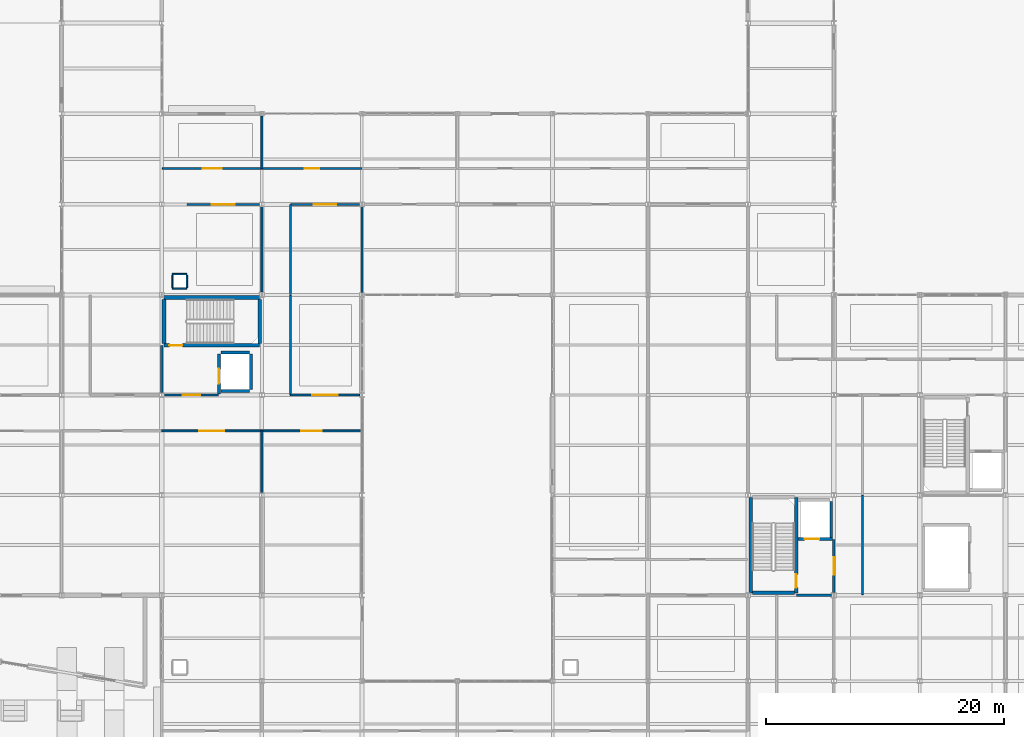
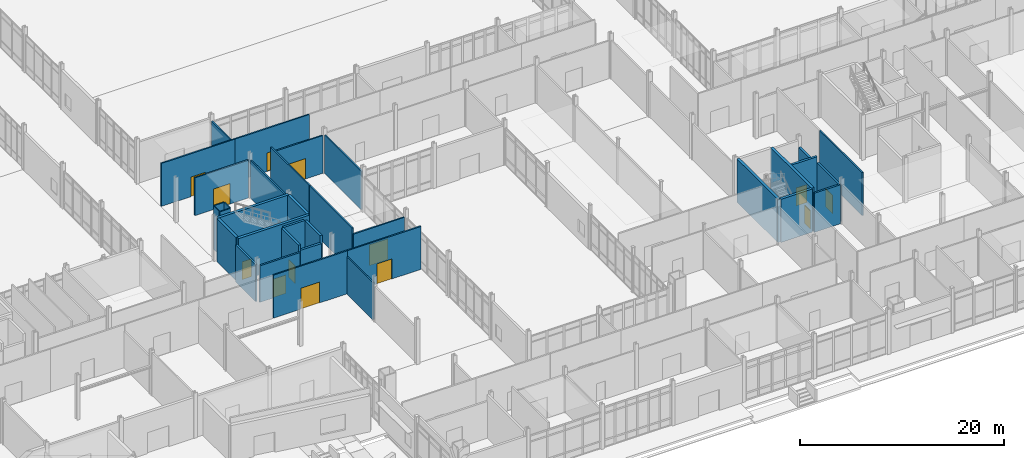
# One storey, part 193 of 229: 35 walls, 13 doors, 13 openings.
"""IFC4 building model written with IfcOpenShell, lengths in metres."""

import ifcopenshell
import ifcopenshell.guid

model = None  # the IFC model being written
_history = None  # IfcOwnerHistory: only IFC2X3 demands one
_inside = {}  # id of a spatial element -> (the spatial element, [elements in it])
_under = {}  # id of a project, library or spatial element -> (it, [spatial elements below it])
_declared = {}  # id of a project -> (the project, [libraries it declares])
_typed = {}  # id of a type object -> (the type object, [elements of that type])
_made_of = {}  # id of a material, layer set ... -> (it, [elements and type objects made of it])


def new_model(schema):
    """Start an empty IFC model of exactly this schema.

    Asked for "IFC4X3", IfcOpenShell would pick the latest addendum, in which some entities
    have other attributes; the version numbers below select the first issue.
    IFC2X3 requires an IfcOwnerHistory on every rooted entity: one is made here for all.
    """
    global model, _history
    if schema == "IFC4X3":
        model = ifcopenshell.file(schema_version=(4, 3, 0, 0))
    else:
        model = ifcopenshell.file(schema=schema)
    _inside.clear()
    _under.clear()
    _declared.clear()
    _typed.clear()
    _made_of.clear()
    _history = None
    if model.schema == "IFC2X3":
        org = make("IfcOrganization", Name="unknown")
        user = make(
            "IfcPersonAndOrganization",
            ThePerson=make("IfcPerson", FamilyName="unknown"),
            TheOrganization=org,
        )
        app = make(
            "IfcApplication",
            ApplicationDeveloper=org,
            Version="unknown",
            ApplicationFullName="unknown",
            ApplicationIdentifier="unknown",
        )
        _history = make(
            "IfcOwnerHistory",
            OwningUser=user,
            OwningApplication=app,
            ChangeAction="ADDED",
            CreationDate=0,
        )
    return model


def make(cls, **values):
    """One entity of the class cls with the attributes given. An attribute that is None is left unset."""
    return model.create_entity(
        cls, **{name: value for name, value in values.items() if value is not None}
    )


def rooted(cls, **values):
    """An entity with a GlobalId (a new one), such as an element, a storey or a relation."""
    return make(cls, GlobalId=ifcopenshell.guid.new(), OwnerHistory=_history, **values)


def si_unit(unit_type, name, prefix=None):
    """IfcSIUnit, for example si_unit("LENGTHUNIT", "METRE", prefix="MILLI")."""
    return make("IfcSIUnit", UnitType=unit_type, Prefix=prefix, Name=name)


def assignment(units):
    """IfcUnitAssignment: the units of a project."""
    return None if units is None else make("IfcUnitAssignment", Units=units)


def point(xyz):
    """IfcCartesianPoint."""
    return None if xyz is None else make("IfcCartesianPoint", Coordinates=xyz)


def direction(xyz):
    """IfcDirection."""
    return None if xyz is None else make("IfcDirection", DirectionRatios=xyz)


def frame(location, z_axis=None, x_axis=None):
    """IfcAxis2Placement3D, a coordinate frame: its origin and axes. An axis left out is left unset."""
    return make(
        "IfcAxis2Placement3D",
        Location=point(location),
        Axis=direction(z_axis),
        RefDirection=direction(x_axis),
    )


def frame_2d(location, x_axis=None):
    """IfcAxis2Placement2D, a coordinate frame in the plane: its origin and x axis."""
    return make(
        "IfcAxis2Placement2D", Location=point(location), RefDirection=direction(x_axis)
    )


def origin():
    """The frame at (0, 0, 0) with its axes left unset."""
    return frame((0.0, 0.0, 0.0))


def place(relative_to, where):
    """IfcLocalPlacement: puts the frame where relative to a parent placement (None: the world)."""
    return make(
        "IfcLocalPlacement", PlacementRelTo=relative_to, RelativePlacement=where
    )


def context(
    kind, dimensions, precision=None, world=None, true_north=None, identifier=None
):
    """IfcGeometricRepresentationContext, for example the 3D "Model" context."""
    return make(
        "IfcGeometricRepresentationContext",
        ContextIdentifier=identifier,
        ContextType=kind,
        CoordinateSpaceDimension=dimensions,
        Precision=precision,
        WorldCoordinateSystem=world,
        TrueNorth=true_north,
    )


def subcontext(parent, identifier, kind, view, scale=None):
    """IfcGeometricRepresentationSubContext, for example "Body" below "Model"."""
    return make(
        "IfcGeometricRepresentationSubContext",
        ContextIdentifier=identifier,
        ContextType=kind,
        ParentContext=parent,
        TargetScale=scale,
        TargetView=view,
    )


def project(units=None, contexts=None):
    """IfcProject with its units and contexts."""
    return rooted(
        "IfcProject",
        Name="project",
        RepresentationContexts=contexts,
        UnitsInContext=assignment(units),
    )


def spatial(cls, under=None, at=None, **own):
    """A site, building, storey or space (cls), placed at a placement, below another one or the project."""
    s = rooted(cls, ObjectPlacement=at, **own)
    if under is not None:
        _under.setdefault(under.id(), (under, []))[1].append(s)
    return s


def profile(cls, at=None, kind="AREA", **sizes):
    """A parametric profile (cls). Its sizes go by their IFC names, for example OverallWidth=200.0."""
    return make(cls, ProfileType=kind, Position=at, **sizes)


def rectangle(**sizes):
    """IfcRectangleProfileDef."""
    return profile("IfcRectangleProfileDef", **sizes)


def extrude(swept, where, along, depth):
    """IfcExtrudedAreaSolid: the profile swept, set in the frame where, extruded along a direction by depth."""
    return make(
        "IfcExtrudedAreaSolid",
        SweptArea=swept,
        Position=where,
        ExtrudedDirection=direction(along),
        Depth=depth,
    )


def shape(context_of_items, identifier, shape_type, items):
    """IfcShapeRepresentation: the items that make up one representation, for example the "Body"."""
    return make(
        "IfcShapeRepresentation",
        ContextOfItems=context_of_items,
        RepresentationIdentifier=identifier,
        RepresentationType=shape_type,
        Items=items,
    )


def material(Name=None, Category=None):
    """IfcMaterial."""
    return make("IfcMaterial", Name=Name, Category=Category)


def layer(
    of_material, thickness, ventilated=None, Name=None, Category=None, Priority=None
):
    """IfcMaterialLayer: one layer of a wall or slab, of a material (None: an air gap)."""
    return make(
        "IfcMaterialLayer",
        Material=of_material,
        LayerThickness=thickness,
        IsVentilated=ventilated,
        Name=Name,
        Category=Category,
        Priority=Priority,
    )


def layer_set(layers, Name=None):
    """IfcMaterialLayerSet."""
    return make("IfcMaterialLayerSet", MaterialLayers=layers, LayerSetName=Name)


def made_of(thing, what):
    """Note that an element or type object is made of a material, layer set ...; save() writes the relation."""
    if what is not None:
        _made_of.setdefault(what.id(), (what, []))[1].append(thing)
    return thing


def type_object(cls, material=None, **own):
    """A type object (cls), such as IfcWallType, which elements share."""
    return made_of(rooted(cls, **own), material)


def element(
    cls,
    number,
    at=None,
    inside=None,
    cuts=None,
    type_object=None,
    material=None,
    context=None,
    identifier="Body",
    shape_type=None,
    held_by="IfcProductDefinitionShape",
    body=None,
    shapes=None,
    **own,
):
    """One element of the class cls, such as IfcWall. Its Tag is "e" and its number.

    at: its placement. inside: the storey or other place that contains it. cuts: it is an
    opening in that element (IfcRelVoidsElement). A single representation is given by context,
    identifier, shape_type and body (its items); several are given by shapes. held_by: the class
    of the entity that holds the representations. save() writes the other relations.
    """
    e = rooted(cls, Tag="e%d" % number, ObjectPlacement=at, **own)
    if body is not None:
        shapes = [shape(context, identifier, shape_type, body)]
    if shapes is not None:
        e.Representation = make(held_by, Representations=shapes)
    if inside is not None:
        _inside.setdefault(inside.id(), (inside, []))[1].append(e)
    if cuts is not None:
        rooted(
            "IfcRelVoidsElement", RelatingBuildingElement=cuts, RelatedOpeningElement=e
        )
    if type_object is not None:
        _typed.setdefault(type_object.id(), (type_object, []))[1].append(e)
    return made_of(e, material)


def fill(opening, filler):
    """IfcRelFillsElement: the door or window that sits in an opening."""
    return rooted(
        "IfcRelFillsElement",
        RelatingOpeningElement=opening,
        RelatedBuildingElement=filler,
    )


def aggregate(whole, parts):
    """IfcRelAggregates: a whole, such as a stair, and the parts it consists of."""
    return rooted("IfcRelAggregates", RelatingObject=whole, RelatedObjects=parts)


def save(model, path):
    """Write the relations noted so far, then the file.

    IfcRelAggregates (storeys below a building ...), IfcRelContainedInSpatialStructure (elements
    in a storey), IfcRelDefinesByType, IfcRelAssociatesMaterial and IfcRelDeclares: one each for
    every whole, place, type object, material and project.
    """
    for whole, parts in _under.values():
        aggregate(whole, parts)
    for where, things in _inside.values():
        rooted(
            "IfcRelContainedInSpatialStructure",
            RelatedElements=things,
            RelatingStructure=where,
        )
    for kind, things in _typed.values():
        rooted("IfcRelDefinesByType", RelatedObjects=things, RelatingType=kind)
    for what, things in _made_of.values():
        rooted("IfcRelAssociatesMaterial", RelatedObjects=things, RelatingMaterial=what)
    for by, libraries in _declared.values():
        rooted("IfcRelDeclares", RelatingContext=by, RelatedDefinitions=libraries)
    model.write(path)


model = new_model("IFC4")

# Units and contexts
model_context = context("Model", 3, precision=1e-05, world=origin(), true_north=direction((0.0, 1.0)))
body_context = subcontext(model_context, "Body", "Model", "MODEL_VIEW")
ifc_project = project(units=[si_unit("LENGTHUNIT", "METRE"), si_unit("AREAUNIT", "SQUARE_METRE"), si_unit("VOLUMEUNIT", "CUBIC_METRE"), si_unit("PLANEANGLEUNIT", "RADIAN"), si_unit("MASSUNIT", "GRAM", prefix="KILO")], contexts=[model_context])

# Site, building, storey
site_placement = place(None, origin())
site = spatial("IfcSite", under=ifc_project, at=site_placement, CompositionType="ELEMENT")
building_placement = place(site_placement, origin())
building = spatial("IfcBuilding", under=site, at=building_placement, Name="Calvrana Isthmian Art Gallery", CompositionType="ELEMENT")
storey_placement = place(building_placement, origin())
storey = spatial("IfcBuildingStorey", under=building, at=storey_placement, Name="L00", CompositionType="ELEMENT", Elevation=0.0)

# Wall, opening, door
ifc_material_1 = material(Name="Concrete C40/50", Category="concrete")
ifc_layer_1 = layer(ifc_material_1, 0.300048828125, Name="Concrete C40/50")
ifc_layer_set_1 = layer_set([ifc_layer_1], Name="Concrete C40/50")
wall_type_1 = type_object("IfcWallType", Name="CW-SHAFT-300", PredefinedType="SHEAR", material=ifc_layer_set_1)
wall_1_placement = place(storey_placement, frame((63.7900390625, 42.56005859375, 0.0), z_axis=(0.0, 0.0, 1.0), x_axis=(1.0, 0.0, 0.0)))
wall_1 = element("IfcWall", 1, at=wall_1_placement, inside=storey, type_object=wall_type_1, Name="Core C2 shear wall S L00", PredefinedType="SHEAR", context=body_context, shape_type="SweptSolid", body=[
    extrude(rectangle(XDim=8.02001953125, YDim=0.300048828125, at=frame_2d((4.010009765625, 0.0))), origin(), (0.0, 0.0, 1.0), 5.159912109375),
])
opening_1_placement = place(wall_1_placement, frame((0.449951171875, 0.0, 0.0)))
opening_1 = element("IfcOpeningElement", 2, at=opening_1_placement, cuts=wall_1, Name="Opening D-116", PredefinedType="OPENING", context=body_context, shape_type="SweptSolid", body=[
    extrude(rectangle(XDim=1.10009765625, YDim=2.14990234375, at=frame_2d((0.550048828125, 1.074951171875))), frame((0.0, 0.16015625, 0.0), z_axis=(0.0, -1.0, 0.0), x_axis=(1.0, 0.0, 0.0)), (0.0, 0.0, 1.0), 0.320556640625),
])
ifc_material_2 = material(Name="Steel ASTM A572 Gr 50", Category="steel")
door_type_1 = type_object("IfcDoorType", Name="DR-FIRE-1100", OperationType="NOTDEFINED", PredefinedType="DOOR", material=ifc_material_2)
door_1_placement = place(opening_1_placement, origin())
door_1 = element("IfcDoor", 3, at=door_1_placement, inside=storey, type_object=door_type_1, Name="Stair ST-2 fire door L00", OperationType="SINGLE_SWING_LEFT", OverallHeight=2.14990234375, OverallWidth=1.10009765625, PredefinedType="DOOR", context=body_context, shape_type="SweptSolid", body=[
    extrude(rectangle(XDim=1.10009765625, YDim=2.14990234375, at=frame_2d((0.550048828125, 1.074951171875))), frame((0.0, 0.02490234375, 0.0), z_axis=(0.0, -1.0, 0.0), x_axis=(1.0, 0.0, 0.0)), (0.0, 0.0, 1.0), 0.050048828125),
])
fill(opening_1, door_1)

# Walls
wall_2_placement = place(storey_placement, frame((63.7900390625, 46.580078125, 0.0), z_axis=(0.0, 0.0, 1.0), x_axis=(1.0, 0.0, 0.0)))
element("IfcWall", 4, at=wall_2_placement, inside=storey, type_object=wall_type_1, Name="Core C2 shear wall N L00", PredefinedType="SHEAR", context=body_context, shape_type="SweptSolid", body=[
    extrude(rectangle(XDim=8.02001953125, YDim=0.300048828125, at=frame_2d((4.010009765625, 0.0))), origin(), (0.0, 0.0, 1.0), 5.159912109375),
])
for number, where, z_axis, x_axis, name in (
    (5, (63.7900390625, 42.7099609375, 0.0), (0.0, 0.0, 1.0), (0.0, 1.0, 0.0), "Core C2 shear wall W L00"),
    (6, (71.81005859375, 42.7099609375, 0.0), (0.0, 0.0, 1.0), (0.0, 1.0, 0.0), "Core C2 shear wall E L00"),
):
    element("IfcWall", number, at=place(storey_placement, frame(where, z_axis=z_axis, x_axis=x_axis)), inside=storey, type_object=wall_type_1, Name=name, PredefinedType="SHEAR", context=body_context, shape_type="SweptSolid", body=[
        extrude(rectangle(XDim=3.719970703125, YDim=0.300048828125, at=frame_2d((1.85986328125, 0.0))), origin(), (0.0, 0.0, 1.0), 5.159912109375),
    ])
wall_3_placement = place(storey_placement, frame((113.02001953125, 21.7900390625, 0.0), z_axis=(0.0, 0.0, 1.0), x_axis=(0.0, 1.0, 0.0)))
element("IfcWall", 7, at=wall_3_placement, inside=storey, type_object=wall_type_1, Name="Core C3 shear wall W L00", PredefinedType="SHEAR", context=body_context, shape_type="SweptSolid", body=[
    extrude(rectangle(XDim=8.02001953125, YDim=0.300048828125, at=frame_2d((4.010009765625, 0.0))), origin(), (0.0, 0.0, 1.0), 5.159912109375),
])

# Wall, opening, door
wall_4_placement = place(storey_placement, frame((116.840087890625, 21.7900390625, 0.0), z_axis=(0.0, 0.0, 1.0), x_axis=(0.0, 1.0, 0.0)))
wall_4 = element("IfcWall", 8, at=wall_4_placement, inside=storey, type_object=wall_type_1, Name="Core C3 shear wall E L00", PredefinedType="SHEAR", context=body_context, shape_type="SweptSolid", body=[
    extrude(rectangle(XDim=8.02001953125, YDim=0.300048828125, at=frame_2d((4.010009765625, 0.0))), origin(), (0.0, 0.0, 1.0), 5.159912109375),
])
opening_2_placement = place(wall_4_placement, frame((0.449951171875, 0.0, 0.0)))
opening_2 = element("IfcOpeningElement", 9, at=opening_2_placement, cuts=wall_4, Name="Opening D-130", PredefinedType="OPENING", context=body_context, shape_type="SweptSolid", body=[
    extrude(rectangle(XDim=1.10009765625, YDim=2.14990234375, at=frame_2d((0.550048828125, 1.074951171875))), frame((0.0, 0.16015625, 0.0), z_axis=(0.0, -1.0, 0.0), x_axis=(1.0, 0.0, 0.0)), (0.0, 0.0, 1.0), 0.320556640625),
])
door_2_placement = place(opening_2_placement, origin())
door_2 = element("IfcDoor", 10, at=door_2_placement, inside=storey, type_object=door_type_1, Name="Stair ST-3 fire door L00", OperationType="SINGLE_SWING_RIGHT", OverallHeight=2.14990234375, OverallWidth=1.10009765625, PredefinedType="DOOR", context=body_context, shape_type="SweptSolid", body=[
    extrude(rectangle(XDim=1.10009765625, YDim=2.14990234375, at=frame_2d((0.550048828125, 1.074951171875))), frame((0.0, 0.02490234375, 0.0), z_axis=(0.0, -1.0, 0.0), x_axis=(1.0, 0.0, 0.0)), (0.0, 0.0, 1.0), 0.050048828125),
])
fill(opening_2, door_2)

# Walls
wall_5_placement = place(storey_placement, frame((113.169921875, 21.7900390625, 0.0), z_axis=(0.0, 0.0, 1.0), x_axis=(1.0, 0.0, 0.0)))
element("IfcWall", 11, at=wall_5_placement, inside=storey, type_object=wall_type_1, Name="Core C3 shear wall S L00", PredefinedType="SHEAR", context=body_context, shape_type="SweptSolid", body=[
    extrude(rectangle(XDim=3.52001953125, YDim=0.300048828125, at=frame_2d((1.760009765625, 0.0))), origin(), (0.0, 0.0, 1.0), 5.159912109375),
])
ifc_material_3 = material(Name="Acoustic gypsum ceiling", Category="gypsum")
ifc_layer_2 = layer(ifc_material_3, 0.199951171875, Name="Acoustic gypsum ceiling")
ifc_layer_set_2 = layer_set([ifc_layer_2], Name="Acoustic gypsum ceiling")
wall_type_2 = type_object("IfcWallType", Name="PW-FIRE-200", PredefinedType="PARTITIONING", material=ifc_layer_set_2)
wall_6_placement = place(storey_placement, frame((63.60009765625, 38.6201171875, 0.0), z_axis=(0.0, 0.0, 1.0), x_axis=(0.0, 1.0, 0.0)))
element("IfcWall", 12, at=wall_6_placement, inside=storey, type_object=wall_type_2, Name="Core C2 lobby west closure L00", PredefinedType="PARTITIONING", context=body_context, shape_type="SweptSolid", body=[
    extrude(rectangle(XDim=3.919921875, YDim=0.199951171875, at=frame_2d((1.9599609375, 0.0))), origin(), (0.0, 0.0, 1.0), 4.447021484375),
])

# Wall, opening, door
wall_7_placement = place(storey_placement, frame((63.820068359375, 38.39990234375, 0.0), z_axis=(0.0, 0.0, 1.0), x_axis=(1.0, 0.0, 0.0)))
wall_7 = element("IfcWall", 13, at=wall_7_placement, inside=storey, type_object=wall_type_2, Name="Core C2 lobby enclosure L00", PredefinedType="PARTITIONING", context=body_context, shape_type="SweptSolid", body=[
    extrude(rectangle(XDim=4.559814453125, YDim=0.199951171875, at=frame_2d((2.27978515625, 0.0))), origin(), (0.0, 0.0, 1.0), 4.3779296875),
])
opening_3_placement = place(wall_7_placement, frame((1.554931640625, 0.0, 0.0)))
opening_3 = element("IfcOpeningElement", 14, at=opening_3_placement, cuts=wall_7, Name="Opening D-117", PredefinedType="OPENING", context=body_context, shape_type="SweptSolid", body=[
    extrude(rectangle(XDim=1.449951171875, YDim=2.199951171875, at=frame_2d((0.72509765625, 1.10009765625))), frame((0.0, 0.1103515625, 0.0), z_axis=(0.0, -1.0, 0.0), x_axis=(1.0, 0.0, 0.0)), (0.0, 0.0, 1.0), 0.220458984375),
])
door_type_2 = type_object("IfcDoorType", Name="DR-LOBBY-1450", OperationType="DOUBLE_DOOR_SINGLE_SWING", PredefinedType="DOOR", material=ifc_material_2)
door_3_placement = place(opening_3_placement, origin())
door_3 = element("IfcDoor", 15, at=door_3_placement, inside=storey, type_object=door_type_2, Name="Core C2 lobby fire door L00", OperationType="DOUBLE_DOOR_SINGLE_SWING", OverallHeight=2.199951171875, OverallWidth=1.449951171875, PredefinedType="DOOR", context=body_context, shape_type="SweptSolid", body=[
    extrude(rectangle(XDim=1.449951171875, YDim=2.199951171875, at=frame_2d((0.72509765625, 1.10009765625))), frame((0.0, 0.02490234375, 0.0), z_axis=(0.0, -1.0, 0.0), x_axis=(1.0, 0.0, 0.0)), (0.0, 0.0, 1.0), 0.050048828125),
])
fill(opening_3, door_3)

# Wall
wall_8_placement = place(storey_placement, frame((116.85009765625, 21.60009765625, 0.0), z_axis=(0.0, 0.0, 1.0), x_axis=(1.0, 0.0, 0.0)))
element("IfcWall", 16, at=wall_8_placement, inside=storey, type_object=wall_type_2, Name="Core C3 lobby south closure L00", PredefinedType="PARTITIONING", context=body_context, shape_type="SweptSolid", body=[
    extrude(rectangle(XDim=2.929931640625, YDim=0.199951171875, at=frame_2d((1.46484375, 0.0))), origin(), (0.0, 0.0, 1.0), 4.677978515625),
])

# Wall, opening, door
wall_9_placement = place(storey_placement, frame((120.0, 21.820068359375, 0.0), z_axis=(0.0, 0.0, 1.0), x_axis=(0.0, 1.0, 0.0)))
wall_9 = element("IfcWall", 17, at=wall_9_placement, inside=storey, type_object=wall_type_2, Name="Core C3 lobby enclosure L00", PredefinedType="PARTITIONING", context=body_context, shape_type="SweptSolid", body=[
    extrude(rectangle(XDim=4.4599609375, YDim=0.199951171875, at=frame_2d((2.22998046875, 0.0))), origin(), (0.0, 0.0, 1.0), 4.367919921875),
])
opening_4_placement = place(wall_9_placement, frame((1.5048828125, 0.0, 0.0)))
opening_4 = element("IfcOpeningElement", 18, at=opening_4_placement, cuts=wall_9, Name="Opening D-131", PredefinedType="OPENING", context=body_context, shape_type="SweptSolid", body=[
    extrude(rectangle(XDim=1.449951171875, YDim=2.199951171875, at=frame_2d((0.72509765625, 1.10009765625))), frame((0.0, 0.1103515625, 0.0), z_axis=(0.0, -1.0, 0.0), x_axis=(1.0, 0.0, 0.0)), (0.0, 0.0, 1.0), 0.220458984375),
])
door_4_placement = place(opening_4_placement, origin())
door_4 = element("IfcDoor", 19, at=door_4_placement, inside=storey, type_object=door_type_2, Name="Core C3 lobby fire door L00", OperationType="DOUBLE_DOOR_SINGLE_SWING", OverallHeight=2.199951171875, OverallWidth=1.449951171875, PredefinedType="DOOR", context=body_context, shape_type="SweptSolid", body=[
    extrude(rectangle(XDim=1.449951171875, YDim=2.199951171875, at=frame_2d((0.72509765625, 1.10009765625))), frame((0.0, 0.02490234375, 0.0), z_axis=(0.0, -1.0, 0.0), x_axis=(1.0, 0.0, 0.0)), (0.0, 0.0, 1.0), 0.050048828125),
])
fill(opening_4, door_4)

# Walls
ifc_layer_3 = layer(ifc_material_3, 0.1201171875, Name="Acoustic gypsum ceiling")
ifc_layer_set_3 = layer_set([ifc_layer_3], Name="Acoustic gypsum ceiling")
wall_type_3 = type_object("IfcWallType", Name="PW-FURR-120", PredefinedType="PARTITIONING", material=ifc_layer_set_3)
for number, where, z_axis, x_axis, name in (
    (20, (64.5, 47.340087890625, 0.0), (0.0, 0.0, 1.0), (1.0, 0.0, 0.0), "MEP riser enclosure L00-4S"),
    (21, (64.5, 48.5400390625, 0.0), (0.0, 0.0, 1.0), (1.0, 0.0, 0.0), "MEP riser enclosure L00-4N"),
):
    element("IfcWall", number, at=place(storey_placement, frame(where, z_axis=z_axis, x_axis=x_axis)), inside=storey, type_object=wall_type_3, Name=name, PredefinedType="PARTITIONING", context=body_context, shape_type="SweptSolid", body=[
        extrude(rectangle(XDim=1.199951171875, YDim=0.1201171875, at=frame_2d((0.60009765625, 0.0))), origin(), (0.0, 0.0, 1.0), 5.159912109375),
    ])
for number, where, z_axis, x_axis, name in (
    (22, (64.5, 47.419921875, 0.0), (0.0, 0.0, 1.0), (0.0, 1.0, 0.0), "MEP riser enclosure L00-4W"),
    (23, (65.699951171875, 47.419921875, 0.0), (0.0, 0.0, 1.0), (0.0, 1.0, 0.0), "MEP riser enclosure L00-4E"),
):
    element("IfcWall", number, at=place(storey_placement, frame(where, z_axis=z_axis, x_axis=x_axis)), inside=storey, type_object=wall_type_3, Name=name, PredefinedType="PARTITIONING", context=body_context, shape_type="SweptSolid", body=[
        extrude(rectangle(XDim=1.0400390625, YDim=0.1201171875, at=frame_2d((0.52001953125, 0.0))), origin(), (0.0, 0.0, 1.0), 5.159912109375),
    ])

# Wall, opening, door
ifc_layer_4 = layer(ifc_material_3, 0.159912109375, Name="Acoustic gypsum ceiling")
ifc_layer_set_4 = layer_set([ifc_layer_4], Name="Acoustic gypsum ceiling")
wall_type_4 = type_object("IfcWallType", Name="PW-GAL-160", PredefinedType="PARTITIONING", material=ifc_layer_set_4)
wall_10_placement = place(storey_placement, frame((63.610107421875, 35.389892578125, 0.0), z_axis=(0.0, 0.0, 1.0), x_axis=(1.0, 0.0, 0.0)))
wall_10 = element("IfcWall", 24, at=wall_10_placement, inside=storey, type_object=wall_type_4, Name="Interior partition PW-088", PredefinedType="PARTITIONING", context=body_context, shape_type="SweptSolid", body=[
    extrude(rectangle(XDim=8.3798828125, YDim=0.159912109375, at=frame_2d((4.18994140625, 0.0))), origin(), (0.0, 0.0, 1.0), 5.139892578125),
])
opening_5_placement = place(wall_10_placement, frame((3.139892578125, 0.0, 0.0)))
opening_5 = element("IfcOpeningElement", 25, at=opening_5_placement, cuts=wall_10, Name="Opening D-240", PredefinedType="OPENING", context=body_context, shape_type="SweptSolid", body=[
    extrude(rectangle(XDim=2.10009765625, YDim=2.5, at=frame_2d((1.050048828125, 1.25))), frame((0.0, 0.09033203125, 0.0), z_axis=(0.0, -1.0, 0.0), x_axis=(1.0, 0.0, 0.0)), (0.0, 0.0, 1.0), 0.180419921875),
])
ifc_material_4 = material(Name="Timber gallery flooring", Category="wood")
door_type_3 = type_object("IfcDoorType", Name="DR-GAL-2100", OperationType="DOUBLE_DOOR_SINGLE_SWING", PredefinedType="DOOR", material=ifc_material_4)
door_5_placement = place(opening_5_placement, origin())
door_5 = element("IfcDoor", 26, at=door_5_placement, inside=storey, type_object=door_type_3, Name="Interior door D-240", OperationType="DOUBLE_DOOR_SINGLE_SWING", OverallHeight=2.5, OverallWidth=2.10009765625, PredefinedType="DOOR", context=body_context, shape_type="SweptSolid", body=[
    extrude(rectangle(XDim=2.10009765625, YDim=2.5, at=frame_2d((1.050048828125, 1.25))), frame((0.0, 0.02490234375, 0.0), z_axis=(0.0, -1.0, 0.0), x_axis=(1.0, 0.0, 0.0)), (0.0, 0.0, 1.0), 0.050048828125),
])
fill(opening_5, door_5)

# Wall
wall_11_placement = place(storey_placement, frame((72.0, 30.201416015625, 0.0), z_axis=(0.0, 0.0, 1.0), x_axis=(0.0, 1.0, 0.0)))
element("IfcWall", 27, at=wall_11_placement, inside=storey, type_object=wall_type_4, Name="Interior partition PW-090", PredefinedType="PARTITIONING", context=body_context, shape_type="SweptSolid", body=[
    extrude(rectangle(XDim=5.178466796875, YDim=0.159912109375, at=frame_2d((2.58935546875, 0.0))), origin(), (0.0, 0.0, 1.0), 4.447021484375),
])

# Wall, opening, door
wall_12_placement = place(storey_placement, frame((72.010009765625, 35.389892578125, 0.0), z_axis=(0.0, 0.0, 1.0), x_axis=(1.0, 0.0, 0.0)))
wall_12 = element("IfcWall", 28, at=wall_12_placement, inside=storey, type_object=wall_type_4, Name="Interior partition PW-091", PredefinedType="PARTITIONING", context=body_context, shape_type="SweptSolid", body=[
    extrude(rectangle(XDim=8.330078125, YDim=0.159912109375, at=frame_2d((4.1650390625, 0.0))), origin(), (0.0, 0.0, 1.0), 5.139892578125),
])
opening_6_placement = place(wall_12_placement, frame((3.31494140625, 0.0, 0.0)))
opening_6 = element("IfcOpeningElement", 29, at=opening_6_placement, cuts=wall_12, Name="Opening D-241", PredefinedType="OPENING", context=body_context, shape_type="SweptSolid", body=[
    extrude(rectangle(XDim=1.699951171875, YDim=2.39990234375, at=frame_2d((0.85009765625, 1.199951171875))), frame((0.0, 0.09033203125, 0.0), z_axis=(0.0, -1.0, 0.0), x_axis=(1.0, 0.0, 0.0)), (0.0, 0.0, 1.0), 0.180419921875),
])
door_type_4 = type_object("IfcDoorType", Name="DR-GAL-1700", OperationType="DOUBLE_DOOR_SINGLE_SWING", PredefinedType="DOOR", material=ifc_material_4)
door_6_placement = place(opening_6_placement, origin())
door_6 = element("IfcDoor", 30, at=door_6_placement, inside=storey, type_object=door_type_4, Name="Interior door D-241", OperationType="DOUBLE_DOOR_SINGLE_SWING", OverallHeight=2.39990234375, OverallWidth=1.699951171875, PredefinedType="DOOR", context=body_context, shape_type="SweptSolid", body=[
    extrude(rectangle(XDim=1.699951171875, YDim=2.39990234375, at=frame_2d((0.85009765625, 1.199951171875))), frame((0.0, 0.02490234375, 0.0), z_axis=(0.0, -1.0, 0.0), x_axis=(1.0, 0.0, 0.0)), (0.0, 0.0, 1.0), 0.050048828125),
])
fill(opening_6, door_6)

# Wall
wall_13_placement = place(storey_placement, frame((74.39990234375, 38.419921875, 0.0), z_axis=(0.0, 0.0, 1.0), x_axis=(0.0, 1.0, 0.0)))
element("IfcWall", 31, at=wall_13_placement, inside=storey, type_object=wall_type_4, Name="Interior partition PW-105", PredefinedType="PARTITIONING", context=body_context, shape_type="SweptSolid", body=[
    extrude(rectangle(XDim=8.340087890625, YDim=0.159912109375, at=frame_2d((4.169921875, 0.0))), origin(), (0.0, 0.0, 1.0), 5.139892578125),
])

# Wall, opening, door
wall_14_placement = place(storey_placement, frame((74.39990234375, 38.39990234375, 0.0), z_axis=(0.0, 0.0, 1.0), x_axis=(1.0, 0.0, 0.0)))
wall_14 = element("IfcWall", 32, at=wall_14_placement, inside=storey, type_object=wall_type_4, Name="Interior partition PW-106", PredefinedType="PARTITIONING", context=body_context, shape_type="SweptSolid", body=[
    extrude(rectangle(XDim=5.798583984375, YDim=0.159912109375, at=frame_2d((2.8994140625, 0.0))), origin(), (0.0, 0.0, 1.0), 4.447021484375),
])
opening_7_placement = place(wall_14_placement, frame((1.84912109375, 0.0, 0.0)))
opening_7 = element("IfcOpeningElement", 33, at=opening_7_placement, cuts=wall_14, Name="Opening D-249", PredefinedType="OPENING", context=body_context, shape_type="SweptSolid", body=[
    extrude(rectangle(XDim=2.10009765625, YDim=2.5, at=frame_2d((1.050048828125, 1.25))), frame((0.0, 0.09033203125, 0.0), z_axis=(0.0, -1.0, 0.0), x_axis=(1.0, 0.0, 0.0)), (0.0, 0.0, 1.0), 0.180419921875),
])
door_7_placement = place(opening_7_placement, origin())
door_7 = element("IfcDoor", 34, at=door_7_placement, inside=storey, type_object=door_type_3, Name="Interior door D-249", OperationType="DOUBLE_DOOR_SINGLE_SWING", OverallHeight=2.5, OverallWidth=2.10009765625, PredefinedType="DOOR", context=body_context, shape_type="SweptSolid", body=[
    extrude(rectangle(XDim=2.10009765625, YDim=2.5, at=frame_2d((1.050048828125, 1.25))), frame((0.0, 0.02490234375, 0.0), z_axis=(0.0, -1.0, 0.0), x_axis=(1.0, 0.0, 0.0)), (0.0, 0.0, 1.0), 0.050048828125),
])
fill(opening_7, door_7)

wall_15_placement = place(storey_placement, frame((65.719970703125, 54.39990234375, 0.0), z_axis=(0.0, 0.0, 1.0), x_axis=(1.0, 0.0, 0.0)))
wall_15 = element("IfcWall", 35, at=wall_15_placement, inside=storey, type_object=wall_type_4, Name="Interior partition PW-141", PredefinedType="PARTITIONING", context=body_context, shape_type="SweptSolid", body=[
    extrude(rectangle(XDim=6.07861328125, YDim=0.159912109375, at=frame_2d((3.039306640625, 0.0))), origin(), (0.0, 0.0, 1.0), 4.51806640625),
])
opening_8_placement = place(wall_15_placement, frame((2.08935546875, 0.0, 0.0)))
opening_8 = element("IfcOpeningElement", 36, at=opening_8_placement, cuts=wall_15, Name="Opening D-266", PredefinedType="OPENING", context=body_context, shape_type="SweptSolid", body=[
    extrude(rectangle(XDim=1.89990234375, YDim=2.449951171875, at=frame_2d((0.949951171875, 1.22509765625))), frame((0.0, 0.09033203125, 0.0), z_axis=(0.0, -1.0, 0.0), x_axis=(1.0, 0.0, 0.0)), (0.0, 0.0, 1.0), 0.180419921875),
])
door_type_5 = type_object("IfcDoorType", Name="DR-GAL-1900", OperationType="DOUBLE_DOOR_SINGLE_SWING", PredefinedType="DOOR", material=ifc_material_4)
door_8_placement = place(opening_8_placement, origin())
door_8 = element("IfcDoor", 37, at=door_8_placement, inside=storey, type_object=door_type_5, Name="Interior door D-266", OperationType="DOUBLE_DOOR_SINGLE_SWING", OverallHeight=2.449951171875, OverallWidth=1.89990234375, PredefinedType="DOOR", context=body_context, shape_type="SweptSolid", body=[
    extrude(rectangle(XDim=1.89990234375, YDim=2.449951171875, at=frame_2d((0.949951171875, 1.22509765625))), frame((0.0, 0.02490234375, 0.0), z_axis=(0.0, -1.0, 0.0), x_axis=(1.0, 0.0, 0.0)), (0.0, 0.0, 1.0), 0.050048828125),
])
fill(opening_8, door_8)

# Walls
wall_16_placement = place(storey_placement, frame((72.0, 47.0234375, 0.0), z_axis=(0.0, 0.0, 1.0), x_axis=(0.0, 1.0, 0.0)))
element("IfcWall", 38, at=wall_16_placement, inside=storey, type_object=wall_type_4, Name="Interior partition PW-142", PredefinedType="PARTITIONING", context=body_context, shape_type="SweptSolid", body=[
    extrude(rectangle(XDim=7.175048828125, YDim=0.159912109375, at=frame_2d((3.58740234375, 0.0))), origin(), (0.0, 0.0, 1.0), 4.532958984375),
])
wall_17_placement = place(storey_placement, frame((74.39990234375, 46.840087890625, 0.0), z_axis=(0.0, 0.0, 1.0), x_axis=(0.0, 1.0, 0.0)))
element("IfcWall", 39, at=wall_17_placement, inside=storey, type_object=wall_type_4, Name="Interior partition PW-143", PredefinedType="PARTITIONING", context=body_context, shape_type="SweptSolid", body=[
    extrude(rectangle(XDim=7.539794921875, YDim=0.159912109375, at=frame_2d((3.77001953125, 0.0))), origin(), (0.0, 0.0, 1.0), 5.139892578125),
])

# Wall, opening, door
wall_18_placement = place(storey_placement, frame((74.39990234375, 54.39990234375, 0.0), z_axis=(0.0, 0.0, 1.0), x_axis=(1.0, 0.0, 0.0)))
wall_18 = element("IfcWall", 40, at=wall_18_placement, inside=storey, type_object=wall_type_4, Name="Interior partition PW-144", PredefinedType="PARTITIONING", context=body_context, shape_type="SweptSolid", body=[
    extrude(rectangle(XDim=5.798583984375, YDim=0.159912109375, at=frame_2d((2.8994140625, 0.0))), origin(), (0.0, 0.0, 1.0), 4.528076171875),
])
opening_9_placement = place(wall_18_placement, frame((1.94921875, 0.0, 0.0)))
opening_9 = element("IfcOpeningElement", 41, at=opening_9_placement, cuts=wall_18, Name="Opening D-267", PredefinedType="OPENING", context=body_context, shape_type="SweptSolid", body=[
    extrude(rectangle(XDim=1.89990234375, YDim=2.449951171875, at=frame_2d((0.949951171875, 1.22509765625))), frame((0.0, 0.09033203125, 0.0), z_axis=(0.0, -1.0, 0.0), x_axis=(1.0, 0.0, 0.0)), (0.0, 0.0, 1.0), 0.180419921875),
])
door_9_placement = place(opening_9_placement, origin())
door_9 = element("IfcDoor", 42, at=door_9_placement, inside=storey, type_object=door_type_5, Name="Interior door D-267", OperationType="DOUBLE_DOOR_SINGLE_SWING", OverallHeight=2.449951171875, OverallWidth=1.89990234375, PredefinedType="DOOR", context=body_context, shape_type="SweptSolid", body=[
    extrude(rectangle(XDim=1.89990234375, YDim=2.449951171875, at=frame_2d((0.949951171875, 1.22509765625))), frame((0.0, 0.02490234375, 0.0), z_axis=(0.0, -1.0, 0.0), x_axis=(1.0, 0.0, 0.0)), (0.0, 0.0, 1.0), 0.050048828125),
])
fill(opening_9, door_9)

# Wall
wall_19_placement = place(storey_placement, frame((80.39990234375, 47.014404296875, 0.0), z_axis=(0.0, 0.0, 1.0), x_axis=(0.0, 1.0, 0.0)))
element("IfcWall", 43, at=wall_19_placement, inside=storey, type_object=wall_type_4, Name="Interior partition PW-145", PredefinedType="PARTITIONING", context=body_context, shape_type="SweptSolid", body=[
    extrude(rectangle(XDim=7.1865234375, YDim=0.159912109375, at=frame_2d((3.59326171875, 0.0))), origin(), (0.0, 0.0, 1.0), 4.60693359375),
])

# Wall, opening, door
wall_20_placement = place(storey_placement, frame((63.659912109375, 57.409912109375, 0.0), z_axis=(0.0, 0.0, 1.0), x_axis=(1.0, 0.0, 0.0)))
wall_20 = element("IfcWall", 44, at=wall_20_placement, inside=storey, type_object=wall_type_4, Name="Interior partition PW-153", PredefinedType="PARTITIONING", context=body_context, shape_type="SweptSolid", body=[
    extrude(rectangle(XDim=8.330078125, YDim=0.159912109375, at=frame_2d((4.1650390625, 0.0))), origin(), (0.0, 0.0, 1.0), 5.139892578125),
])
opening_10_placement = place(wall_20_placement, frame((3.364990234375, 0.0, 0.0)))
opening_10 = element("IfcOpeningElement", 45, at=opening_10_placement, cuts=wall_20, Name="Opening D-272", PredefinedType="OPENING", context=body_context, shape_type="SweptSolid", body=[
    extrude(rectangle(XDim=1.60009765625, YDim=2.35009765625, at=frame_2d((0.800048828125, 1.175048828125))), frame((0.0, 0.09033203125, 0.0), z_axis=(0.0, -1.0, 0.0), x_axis=(1.0, 0.0, 0.0)), (0.0, 0.0, 1.0), 0.180419921875),
])
door_type_6 = type_object("IfcDoorType", Name="DR-GAL-1600", OperationType="DOUBLE_DOOR_SINGLE_SWING", PredefinedType="DOOR", material=ifc_material_4)
door_10_placement = place(opening_10_placement, origin())
door_10 = element("IfcDoor", 46, at=door_10_placement, inside=storey, type_object=door_type_6, Name="Interior door D-272", OperationType="DOUBLE_DOOR_SINGLE_SWING", OverallHeight=2.35009765625, OverallWidth=1.60009765625, PredefinedType="DOOR", context=body_context, shape_type="SweptSolid", body=[
    extrude(rectangle(XDim=1.60009765625, YDim=2.35009765625, at=frame_2d((0.800048828125, 1.175048828125))), frame((0.0, 0.02490234375, 0.0), z_axis=(0.0, -1.0, 0.0), x_axis=(1.0, 0.0, 0.0)), (0.0, 0.0, 1.0), 0.050048828125),
])
fill(opening_10, door_10)

# Wall
wall_21_placement = place(storey_placement, frame((72.0, 57.419921875, 0.0), z_axis=(0.0, 0.0, 1.0), x_axis=(0.0, 1.0, 0.0)))
element("IfcWall", 47, at=wall_21_placement, inside=storey, type_object=wall_type_4, Name="Interior partition PW-154", PredefinedType="PARTITIONING", context=body_context, shape_type="SweptSolid", body=[
    extrude(rectangle(XDim=4.386962890625, YDim=0.159912109375, at=frame_2d((2.193359375, 0.0))), origin(), (0.0, 0.0, 1.0), 4.60693359375),
])

# Wall, opening, door
wall_22_placement = place(storey_placement, frame((72.010009765625, 57.409912109375, 0.0), z_axis=(0.0, 0.0, 1.0), x_axis=(1.0, 0.0, 0.0)))
wall_22 = element("IfcWall", 48, at=wall_22_placement, inside=storey, type_object=wall_type_4, Name="Interior partition PW-155", PredefinedType="PARTITIONING", context=body_context, shape_type="SweptSolid", body=[
    extrude(rectangle(XDim=8.3798828125, YDim=0.159912109375, at=frame_2d((4.18994140625, 0.0))), origin(), (0.0, 0.0, 1.0), 5.139892578125),
])
opening_11_placement = place(wall_22_placement, frame((3.590087890625, 0.0, 0.0)))
opening_11 = element("IfcOpeningElement", 49, at=opening_11_placement, cuts=wall_22, Name="Opening D-273", PredefinedType="OPENING", context=body_context, shape_type="SweptSolid", body=[
    extrude(rectangle(XDim=1.199951171875, YDim=2.199951171875, at=frame_2d((0.60009765625, 1.10009765625))), frame((0.0, 0.09033203125, 0.0), z_axis=(0.0, -1.0, 0.0), x_axis=(1.0, 0.0, 0.0)), (0.0, 0.0, 1.0), 0.180419921875),
])
door_type_7 = type_object("IfcDoorType", Name="DR-RM-1200", OperationType="NOTDEFINED", PredefinedType="DOOR", material=ifc_material_4)
door_11_placement = place(opening_11_placement, origin())
door_11 = element("IfcDoor", 50, at=door_11_placement, inside=storey, type_object=door_type_7, Name="Interior door D-273", OperationType="SINGLE_SWING_RIGHT", OverallHeight=2.199951171875, OverallWidth=1.199951171875, PredefinedType="DOOR", context=body_context, shape_type="SweptSolid", body=[
    extrude(rectangle(XDim=1.199951171875, YDim=2.199951171875, at=frame_2d((0.60009765625, 1.10009765625))), frame((0.0, 0.02490234375, 0.0), z_axis=(0.0, -1.0, 0.0), x_axis=(1.0, 0.0, 0.0)), (0.0, 0.0, 1.0), 0.050048828125),
])
fill(opening_11, door_11)

# Walls
wall_23_placement = place(storey_placement, frame((122.39990234375, 21.639892578125, 0.0), z_axis=(0.0, 0.0, 1.0), x_axis=(0.0, 1.0, 0.0)))
element("IfcWall", 51, at=wall_23_placement, inside=storey, type_object=wall_type_4, Name="Interior partition PW-210", PredefinedType="PARTITIONING", context=body_context, shape_type="SweptSolid", body=[
    extrude(rectangle(XDim=8.340087890625, YDim=0.159912109375, at=frame_2d((4.169921875, 0.0))), origin(), (0.0, 0.0, 1.0), 5.139892578125),
])
ifc_material_5 = material(Name="Concrete C35/45", Category="concrete")
ifc_layer_5 = layer(ifc_material_5, 0.25, Name="Concrete C35/45")
ifc_layer_set_5 = layer_set([ifc_layer_5], Name="Concrete C35/45")
wall_type_5 = type_object("IfcWallType", Name="PW-SHAFT-250", PredefinedType="PARTITIONING", material=ifc_layer_set_5)
wall_24_placement = place(storey_placement, frame((71.080078125, 38.85009765625, 0.0), z_axis=(0.0, 0.0, 1.0), x_axis=(0.0, 1.0, 0.0)))
element("IfcWall", 52, at=wall_24_placement, inside=storey, type_object=wall_type_5, Name="Lift EL-02 shaft wall E L00", PredefinedType="PARTITIONING", context=body_context, shape_type="SweptSolid", body=[
    extrude(rectangle(XDim=3.0, YDim=0.25, at=frame_2d((1.5, 0.0))), origin(), (0.0, 0.0, 1.0), 5.159912109375),
])
wall_25_placement = place(storey_placement, frame((68.550048828125, 38.719970703125, 0.0), z_axis=(0.0, 0.0, 1.0), x_axis=(1.0, 0.0, 0.0)))
element("IfcWall", 53, at=wall_25_placement, inside=storey, type_object=wall_type_5, Name="Lift EL-02 shaft wall S L00", PredefinedType="PARTITIONING", context=body_context, shape_type="SweptSolid", body=[
    extrude(rectangle(XDim=2.39990234375, YDim=0.25, at=frame_2d((1.199951171875, 0.0))), origin(), (0.0, 0.0, 1.0), 4.3779296875),
])
wall_26_placement = place(storey_placement, frame((68.550048828125, 41.97998046875, 0.0), z_axis=(0.0, 0.0, 1.0), x_axis=(1.0, 0.0, 0.0)))
element("IfcWall", 54, at=wall_26_placement, inside=storey, type_object=wall_type_5, Name="Lift EL-02 shaft wall N L00", PredefinedType="PARTITIONING", context=body_context, shape_type="SweptSolid", body=[
    extrude(rectangle(XDim=2.39990234375, YDim=0.25, at=frame_2d((1.199951171875, 0.0))), origin(), (0.0, 0.0, 1.0), 5.159912109375),
])

# Wall, opening, door
wall_27_placement = place(storey_placement, frame((68.419921875, 38.5, 0.0), z_axis=(0.0, 0.0, 1.0), x_axis=(0.0, 1.0, 0.0)))
wall_27 = element("IfcWall", 55, at=wall_27_placement, inside=storey, type_object=wall_type_5, Name="Lift EL-02 shaft wall W L00", PredefinedType="PARTITIONING", context=body_context, shape_type="SweptSolid", body=[
    extrude(rectangle(XDim=3.35009765625, YDim=0.25, at=frame_2d((1.675048828125, 0.0))), origin(), (0.0, 0.0, 1.0), 5.159912109375),
])
opening_12_placement = place(wall_27_placement, frame((0.85009765625, 0.0, 0.0)))
opening_12 = element("IfcOpeningElement", 56, at=opening_12_placement, cuts=wall_27, Name="Opening LD-02-L00", PredefinedType="OPENING", context=body_context, shape_type="SweptSolid", body=[
    extrude(rectangle(XDim=1.25, YDim=2.14990234375, at=frame_2d((0.625, 1.074951171875))), frame((0.0, 0.13525390625, 0.0), z_axis=(0.0, -1.0, 0.0), x_axis=(1.0, 0.0, 0.0)), (0.0, 0.0, 1.0), 0.2705078125),
])
ifc_material_6 = material(Name="Stainless steel 316", Category="steel")
door_type_8 = type_object("IfcDoorType", Name="DR-LIFT-1250", OperationType="DOUBLE_DOOR_SLIDING", PredefinedType="DOOR", material=ifc_material_6)
door_12_placement = place(opening_12_placement, origin())
door_12 = element("IfcDoor", 57, at=door_12_placement, inside=storey, type_object=door_type_8, Name="Lift EL-02 sliding landing door L00", OperationType="DOUBLE_DOOR_SLIDING", OverallHeight=2.14990234375, OverallWidth=1.25, PredefinedType="DOOR", context=body_context, shape_type="SweptSolid", body=[
    extrude(rectangle(XDim=1.25, YDim=2.14990234375, at=frame_2d((0.625, 1.074951171875))), frame((0.0, 0.02490234375, 0.0), z_axis=(0.0, -1.0, 0.0), x_axis=(1.0, 0.0, 0.0)), (0.0, 0.0, 1.0), 0.050048828125),
])
fill(opening_12, door_12)

# Wall
wall_28_placement = place(storey_placement, frame((119.780029296875, 26.449951171875, 0.0), z_axis=(0.0, 0.0, 1.0), x_axis=(0.0, 1.0, 0.0)))
element("IfcWall", 58, at=wall_28_placement, inside=storey, type_object=wall_type_5, Name="Lift EL-03 shaft wall E L00", PredefinedType="PARTITIONING", context=body_context, shape_type="SweptSolid", body=[
    extrude(rectangle(XDim=3.0, YDim=0.25, at=frame_2d((1.5, 0.0))), origin(), (0.0, 0.0, 1.0), 4.367919921875),
])

# Wall, opening, door
wall_29_placement = place(storey_placement, frame((116.989990234375, 26.320068359375, 0.0), z_axis=(0.0, 0.0, 1.0), x_axis=(1.0, 0.0, 0.0)))
wall_29 = element("IfcWall", 59, at=wall_29_placement, inside=storey, type_object=wall_type_5, Name="Lift EL-03 shaft wall S L00", PredefinedType="PARTITIONING", context=body_context, shape_type="SweptSolid", body=[
    extrude(rectangle(XDim=2.889892578125, YDim=0.25, at=frame_2d((1.44482421875, 0.0))), origin(), (0.0, 0.0, 1.0), 5.159912109375),
])
opening_13_placement = place(wall_29_placement, frame((0.550048828125, 0.0, 0.0)))
opening_13 = element("IfcOpeningElement", 60, at=opening_13_placement, cuts=wall_29, Name="Opening LD-03-L00", PredefinedType="OPENING", context=body_context, shape_type="SweptSolid", body=[
    extrude(rectangle(XDim=1.25, YDim=2.14990234375, at=frame_2d((0.625, 1.074951171875))), frame((0.0, 0.13525390625, 0.0), z_axis=(0.0, -1.0, 0.0), x_axis=(1.0, 0.0, 0.0)), (0.0, 0.0, 1.0), 0.2705078125),
])
door_13_placement = place(opening_13_placement, origin())
door_13 = element("IfcDoor", 61, at=door_13_placement, inside=storey, type_object=door_type_8, Name="Lift EL-03 sliding landing door L00", OperationType="DOUBLE_DOOR_SLIDING", OverallHeight=2.14990234375, OverallWidth=1.25, PredefinedType="DOOR", context=body_context, shape_type="SweptSolid", body=[
    extrude(rectangle(XDim=1.25, YDim=2.14990234375, at=frame_2d((0.625, 1.074951171875))), frame((0.0, 0.02490234375, 0.0), z_axis=(0.0, -1.0, 0.0), x_axis=(1.0, 0.0, 0.0)), (0.0, 0.0, 1.0), 0.050048828125),
])
fill(opening_13, door_13)

save(model, "model.ifc")
